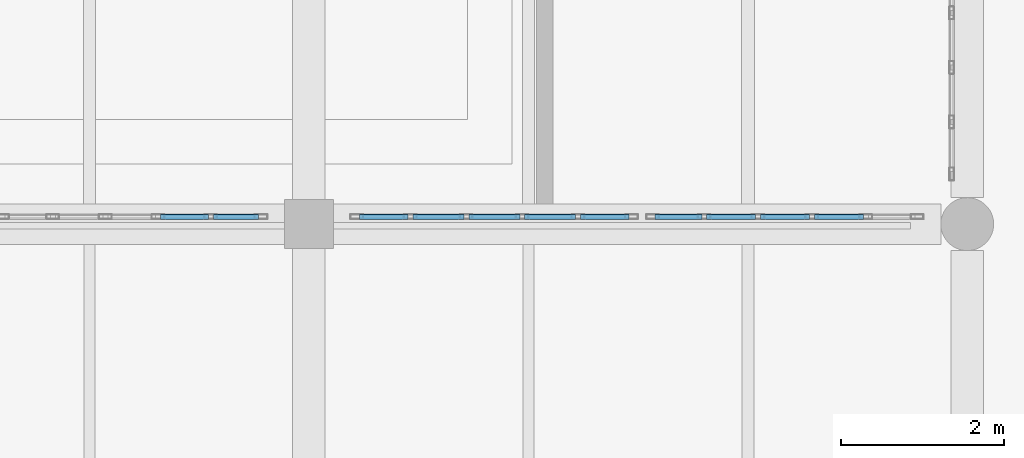
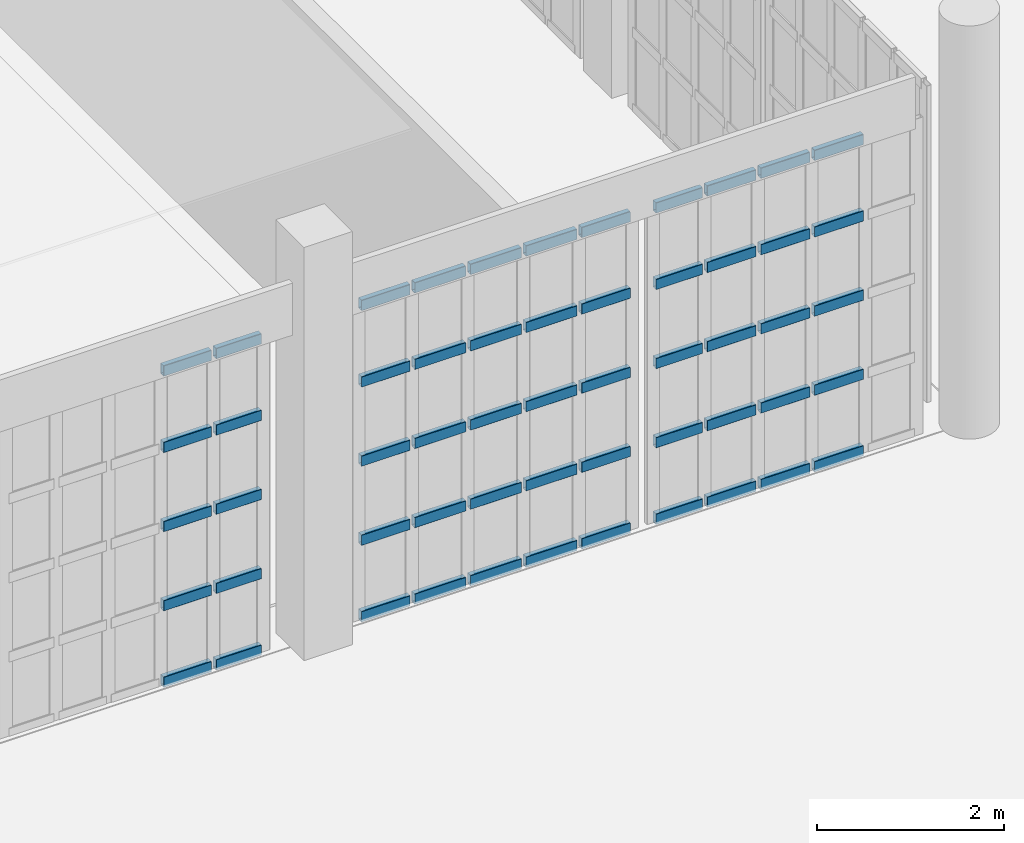
# One storey, part 293 of 372: 55 members, 3 elements without a shape of their own.
"""IFC4 building model written with IfcOpenShell, lengths in metres."""

from ifc_helpers import new_model, si_unit, direction, frame, origin, origin_2d, place, context, subcontext, project, spatial, hollow_rectangle, extrude, material, material_profile, profile_set, type_object, element, aggregate, save


model = new_model("IFC4")

# Units and contexts
model_context = context("Model", 3, precision=1e-05, world=origin(), true_north=direction((0.0, 1.0)))
body_context = subcontext(model_context, "Body", "Model", "MODEL_VIEW")
ifc_project = project(units=[si_unit("LENGTHUNIT", "METRE"), si_unit("AREAUNIT", "SQUARE_METRE"), si_unit("VOLUMEUNIT", "CUBIC_METRE"), si_unit("PLANEANGLEUNIT", "RADIAN"), si_unit("MASSUNIT", "GRAM", prefix="KILO")], contexts=[model_context])

# Site, building, storey
site_placement = place(None, origin())
site = spatial("IfcSite", under=ifc_project, at=site_placement, CompositionType="ELEMENT")
building_placement = place(site_placement, origin())
building = spatial("IfcBuilding", under=site, at=building_placement, Name="Kaelora Sail Theatre", CompositionType="ELEMENT")
storey_placement = place(building_placement, origin())
storey = spatial("IfcBuildingStorey", under=building, at=storey_placement, Name="L00", CompositionType="ELEMENT", Elevation=0.0)

# Curtain wall, members
ifc_material_1 = material(Name="Anodised aluminium and solar-control low-E IGU", Category="aluminium")
curtain_wall_type = type_object("IfcCurtainWallType", Name="ARC-CW-CW-NWG", PredefinedType="NOTDEFINED", material=ifc_material_1)
curtain_wall_1_placement = place(storey_placement, origin())
curtain_wall_1 = element("IfcCurtainWall", 1, at=curtain_wall_1_placement, inside=storey, type_object=curtain_wall_type, Name="Glazed Foyer/Conservatory Curtain Wall COLW-S-L00-02", PredefinedType="NOTDEFINED")
ifc_material_2 = material(Name="Anodised aluminium 6063-T6", Category="aluminium")
ifc_material_profile = material_profile(ifc_material_2, hollow_rectangle(XDim=0.070068359375, YDim=0.139892578125, WallThickness=0.00390625, InnerFilletRadius=0.00390625, OuterFilletRadius=0.008056640625, at=origin_2d()), Name="ALU-TRAN 70x140x4")
ifc_profile_set = profile_set([ifc_material_profile], Name="Anodised aluminium 6063-T6")
member_type = type_object("IfcMemberType", Name="ARC-MEM-TR-140", PredefinedType="USERDEFINED", material=ifc_profile_set)
member_1_placement = place(storey_placement, frame((7.77392578125, 31.35009765625, 0.034912109375), z_axis=(1.0, 0.0, 0.0), x_axis=(0.0, 1.0, 0.0)))
member_1 = element("IfcMember", 2, at=member_1_placement, type_object=member_type, Name="CW-NWG transom 4.1", ObjectType="TRANSOM", PredefinedType="USERDEFINED", context=body_context, shape_type="SweptSolid", body=[
    extrude(hollow_rectangle(XDim=0.070068359375, YDim=0.139892578125, WallThickness=0.00390625, InnerFilletRadius=0.00390625, OuterFilletRadius=0.008056640625, at=origin_2d()), origin(), (0.0, 0.0, 1.0), 0.588134765625),
])
member_2_placement = place(storey_placement, frame((7.77392578125, 31.35009765625, 1.0341796875), z_axis=(1.0, 0.0, 0.0), x_axis=(0.0, 1.0, 0.0)))
member_2 = element("IfcMember", 3, at=member_2_placement, type_object=member_type, Name="CW-NWG transom 4.2", ObjectType="TRANSOM", PredefinedType="USERDEFINED", context=body_context, shape_type="SweptSolid", body=[
    extrude(hollow_rectangle(XDim=0.070068359375, YDim=0.139892578125, WallThickness=0.00390625, InnerFilletRadius=0.00390625, OuterFilletRadius=0.008056640625, at=origin_2d()), origin(), (0.0, 0.0, 1.0), 0.588134765625),
])
member_3_placement = place(storey_placement, frame((7.77392578125, 31.35009765625, 2.068603515625), z_axis=(1.0, 0.0, 0.0), x_axis=(0.0, 1.0, 0.0)))
member_3 = element("IfcMember", 4, at=member_3_placement, type_object=member_type, Name="CW-NWG transom 4.3", ObjectType="TRANSOM", PredefinedType="USERDEFINED", context=body_context, shape_type="SweptSolid", body=[
    extrude(hollow_rectangle(XDim=0.070068359375, YDim=0.139892578125, WallThickness=0.00390625, InnerFilletRadius=0.00390625, OuterFilletRadius=0.008056640625, at=origin_2d()), origin(), (0.0, 0.0, 1.0), 0.588134765625),
])
member_4_placement = place(storey_placement, frame((7.77392578125, 31.35009765625, 3.102783203125), z_axis=(1.0, 0.0, 0.0), x_axis=(0.0, 1.0, 0.0)))
member_4 = element("IfcMember", 5, at=member_4_placement, type_object=member_type, Name="CW-NWG transom 4.4", ObjectType="TRANSOM", PredefinedType="USERDEFINED", context=body_context, shape_type="SweptSolid", body=[
    extrude(hollow_rectangle(XDim=0.070068359375, YDim=0.139892578125, WallThickness=0.00390625, InnerFilletRadius=0.00390625, OuterFilletRadius=0.008056640625, at=origin_2d()), origin(), (0.0, 0.0, 1.0), 0.588134765625),
])
member_5_placement = place(storey_placement, frame((7.77392578125, 31.35009765625, 4.10205078125), z_axis=(1.0, 0.0, 0.0), x_axis=(0.0, 1.0, 0.0)))
member_5 = element("IfcMember", 6, at=member_5_placement, type_object=member_type, Name="CW-NWG transom 4.5", ObjectType="TRANSOM", PredefinedType="USERDEFINED", context=body_context, shape_type="SweptSolid", body=[
    extrude(hollow_rectangle(XDim=0.070068359375, YDim=0.139892578125, WallThickness=0.00390625, InnerFilletRadius=0.00390625, OuterFilletRadius=0.008056640625, at=origin_2d()), origin(), (0.0, 0.0, 1.0), 0.588134765625),
])
member_6_placement = place(storey_placement, frame((8.422119140625, 31.35009765625, 0.034912109375), z_axis=(1.0, 0.0, 0.0), x_axis=(0.0, 1.0, 0.0)))
member_6 = element("IfcMember", 7, at=member_6_placement, type_object=member_type, Name="CW-NWG transom 5.1", ObjectType="TRANSOM", PredefinedType="USERDEFINED", context=body_context, shape_type="SweptSolid", body=[
    extrude(hollow_rectangle(XDim=0.070068359375, YDim=0.139892578125, WallThickness=0.00390625, InnerFilletRadius=0.00390625, OuterFilletRadius=0.008056640625, at=origin_2d()), origin(), (0.0, 0.0, 1.0), 0.557861328125),
])
member_7_placement = place(storey_placement, frame((8.422119140625, 31.35009765625, 1.0341796875), z_axis=(1.0, 0.0, 0.0), x_axis=(0.0, 1.0, 0.0)))
member_7 = element("IfcMember", 8, at=member_7_placement, type_object=member_type, Name="CW-NWG transom 5.2", ObjectType="TRANSOM", PredefinedType="USERDEFINED", context=body_context, shape_type="SweptSolid", body=[
    extrude(hollow_rectangle(XDim=0.070068359375, YDim=0.139892578125, WallThickness=0.00390625, InnerFilletRadius=0.00390625, OuterFilletRadius=0.008056640625, at=origin_2d()), origin(), (0.0, 0.0, 1.0), 0.557861328125),
])
member_8_placement = place(storey_placement, frame((8.422119140625, 31.35009765625, 2.068603515625), z_axis=(1.0, 0.0, 0.0), x_axis=(0.0, 1.0, 0.0)))
member_8 = element("IfcMember", 9, at=member_8_placement, type_object=member_type, Name="CW-NWG transom 5.3", ObjectType="TRANSOM", PredefinedType="USERDEFINED", context=body_context, shape_type="SweptSolid", body=[
    extrude(hollow_rectangle(XDim=0.070068359375, YDim=0.139892578125, WallThickness=0.00390625, InnerFilletRadius=0.00390625, OuterFilletRadius=0.008056640625, at=origin_2d()), origin(), (0.0, 0.0, 1.0), 0.557861328125),
])
member_9_placement = place(storey_placement, frame((8.422119140625, 31.35009765625, 3.102783203125), z_axis=(1.0, 0.0, 0.0), x_axis=(0.0, 1.0, 0.0)))
member_9 = element("IfcMember", 10, at=member_9_placement, type_object=member_type, Name="CW-NWG transom 5.4", ObjectType="TRANSOM", PredefinedType="USERDEFINED", context=body_context, shape_type="SweptSolid", body=[
    extrude(hollow_rectangle(XDim=0.070068359375, YDim=0.139892578125, WallThickness=0.00390625, InnerFilletRadius=0.00390625, OuterFilletRadius=0.008056640625, at=origin_2d()), origin(), (0.0, 0.0, 1.0), 0.557861328125),
])
member_10_placement = place(storey_placement, frame((8.422119140625, 31.35009765625, 4.10205078125), z_axis=(1.0, 0.0, 0.0), x_axis=(0.0, 1.0, 0.0)))
member_10 = element("IfcMember", 11, at=member_10_placement, type_object=member_type, Name="CW-NWG transom 5.5", ObjectType="TRANSOM", PredefinedType="USERDEFINED", context=body_context, shape_type="SweptSolid", body=[
    extrude(hollow_rectangle(XDim=0.070068359375, YDim=0.139892578125, WallThickness=0.00390625, InnerFilletRadius=0.00390625, OuterFilletRadius=0.008056640625, at=origin_2d()), origin(), (0.0, 0.0, 1.0), 0.557861328125),
])
aggregate(curtain_wall_1, [member_1, member_2, member_3, member_4, member_5, member_6, member_7, member_8, member_9, member_10])

curtain_wall_2_placement = place(storey_placement, origin())
curtain_wall_2 = element("IfcCurtainWall", 12, at=curtain_wall_2_placement, inside=storey, type_object=curtain_wall_type, Name="Glazed Foyer/Conservatory Curtain Wall COLW-S-L00-03", PredefinedType="NOTDEFINED")
member_11_placement = place(storey_placement, frame((10.219970703125, 31.35009765625, 0.034912109375), z_axis=(1.0, 0.0, 0.0), x_axis=(0.0, 1.0, 0.0)))
member_11 = element("IfcMember", 13, at=member_11_placement, type_object=member_type, Name="CW-NWG transom 1.1", ObjectType="TRANSOM", PredefinedType="USERDEFINED", context=body_context, shape_type="SweptSolid", body=[
    extrude(hollow_rectangle(XDim=0.070068359375, YDim=0.139892578125, WallThickness=0.00390625, InnerFilletRadius=0.00390625, OuterFilletRadius=0.008056640625, at=origin_2d()), origin(), (0.0, 0.0, 1.0), 0.59814453125),
])
member_12_placement = place(storey_placement, frame((10.219970703125, 31.35009765625, 1.0341796875), z_axis=(1.0, 0.0, 0.0), x_axis=(0.0, 1.0, 0.0)))
member_12 = element("IfcMember", 14, at=member_12_placement, type_object=member_type, Name="CW-NWG transom 1.2", ObjectType="TRANSOM", PredefinedType="USERDEFINED", context=body_context, shape_type="SweptSolid", body=[
    extrude(hollow_rectangle(XDim=0.070068359375, YDim=0.139892578125, WallThickness=0.00390625, InnerFilletRadius=0.00390625, OuterFilletRadius=0.008056640625, at=origin_2d()), origin(), (0.0, 0.0, 1.0), 0.59814453125),
])
member_13_placement = place(storey_placement, frame((10.219970703125, 31.35009765625, 2.068603515625), z_axis=(1.0, 0.0, 0.0), x_axis=(0.0, 1.0, 0.0)))
member_13 = element("IfcMember", 15, at=member_13_placement, type_object=member_type, Name="CW-NWG transom 1.3", ObjectType="TRANSOM", PredefinedType="USERDEFINED", context=body_context, shape_type="SweptSolid", body=[
    extrude(hollow_rectangle(XDim=0.070068359375, YDim=0.139892578125, WallThickness=0.00390625, InnerFilletRadius=0.00390625, OuterFilletRadius=0.008056640625, at=origin_2d()), origin(), (0.0, 0.0, 1.0), 0.59814453125),
])
member_14_placement = place(storey_placement, frame((10.219970703125, 31.35009765625, 3.102783203125), z_axis=(1.0, 0.0, 0.0), x_axis=(0.0, 1.0, 0.0)))
member_14 = element("IfcMember", 16, at=member_14_placement, type_object=member_type, Name="CW-NWG transom 1.4", ObjectType="TRANSOM", PredefinedType="USERDEFINED", context=body_context, shape_type="SweptSolid", body=[
    extrude(hollow_rectangle(XDim=0.070068359375, YDim=0.139892578125, WallThickness=0.00390625, InnerFilletRadius=0.00390625, OuterFilletRadius=0.008056640625, at=origin_2d()), origin(), (0.0, 0.0, 1.0), 0.59814453125),
])
member_15_placement = place(storey_placement, frame((10.219970703125, 31.35009765625, 4.10205078125), z_axis=(1.0, 0.0, 0.0), x_axis=(0.0, 1.0, 0.0)))
member_15 = element("IfcMember", 17, at=member_15_placement, type_object=member_type, Name="CW-NWG transom 1.5", ObjectType="TRANSOM", PredefinedType="USERDEFINED", context=body_context, shape_type="SweptSolid", body=[
    extrude(hollow_rectangle(XDim=0.070068359375, YDim=0.139892578125, WallThickness=0.00390625, InnerFilletRadius=0.00390625, OuterFilletRadius=0.008056640625, at=origin_2d()), origin(), (0.0, 0.0, 1.0), 0.59814453125),
])
member_16_placement = place(storey_placement, frame((10.8779296875, 31.35009765625, 0.034912109375), z_axis=(1.0, 0.0, 0.0), x_axis=(0.0, 1.0, 0.0)))
member_16 = element("IfcMember", 18, at=member_16_placement, type_object=member_type, Name="CW-NWG transom 2.1", ObjectType="TRANSOM", PredefinedType="USERDEFINED", context=body_context, shape_type="SweptSolid", body=[
    extrude(hollow_rectangle(XDim=0.070068359375, YDim=0.139892578125, WallThickness=0.00390625, InnerFilletRadius=0.00390625, OuterFilletRadius=0.008056640625, at=origin_2d()), origin(), (0.0, 0.0, 1.0), 0.628173828125),
])
member_17_placement = place(storey_placement, frame((10.8779296875, 31.35009765625, 1.0341796875), z_axis=(1.0, 0.0, 0.0), x_axis=(0.0, 1.0, 0.0)))
member_17 = element("IfcMember", 19, at=member_17_placement, type_object=member_type, Name="CW-NWG transom 2.2", ObjectType="TRANSOM", PredefinedType="USERDEFINED", context=body_context, shape_type="SweptSolid", body=[
    extrude(hollow_rectangle(XDim=0.070068359375, YDim=0.139892578125, WallThickness=0.00390625, InnerFilletRadius=0.00390625, OuterFilletRadius=0.008056640625, at=origin_2d()), origin(), (0.0, 0.0, 1.0), 0.628173828125),
])
member_18_placement = place(storey_placement, frame((10.8779296875, 31.35009765625, 2.068603515625), z_axis=(1.0, 0.0, 0.0), x_axis=(0.0, 1.0, 0.0)))
member_18 = element("IfcMember", 20, at=member_18_placement, type_object=member_type, Name="CW-NWG transom 2.3", ObjectType="TRANSOM", PredefinedType="USERDEFINED", context=body_context, shape_type="SweptSolid", body=[
    extrude(hollow_rectangle(XDim=0.070068359375, YDim=0.139892578125, WallThickness=0.00390625, InnerFilletRadius=0.00390625, OuterFilletRadius=0.008056640625, at=origin_2d()), origin(), (0.0, 0.0, 1.0), 0.628173828125),
])
member_19_placement = place(storey_placement, frame((10.8779296875, 31.35009765625, 3.102783203125), z_axis=(1.0, 0.0, 0.0), x_axis=(0.0, 1.0, 0.0)))
member_19 = element("IfcMember", 21, at=member_19_placement, type_object=member_type, Name="CW-NWG transom 2.4", ObjectType="TRANSOM", PredefinedType="USERDEFINED", context=body_context, shape_type="SweptSolid", body=[
    extrude(hollow_rectangle(XDim=0.070068359375, YDim=0.139892578125, WallThickness=0.00390625, InnerFilletRadius=0.00390625, OuterFilletRadius=0.008056640625, at=origin_2d()), origin(), (0.0, 0.0, 1.0), 0.628173828125),
])
member_20_placement = place(storey_placement, frame((10.8779296875, 31.35009765625, 4.10205078125), z_axis=(1.0, 0.0, 0.0), x_axis=(0.0, 1.0, 0.0)))
member_20 = element("IfcMember", 22, at=member_20_placement, type_object=member_type, Name="CW-NWG transom 2.5", ObjectType="TRANSOM", PredefinedType="USERDEFINED", context=body_context, shape_type="SweptSolid", body=[
    extrude(hollow_rectangle(XDim=0.070068359375, YDim=0.139892578125, WallThickness=0.00390625, InnerFilletRadius=0.00390625, OuterFilletRadius=0.008056640625, at=origin_2d()), origin(), (0.0, 0.0, 1.0), 0.628173828125),
])
member_21_placement = place(storey_placement, frame((11.56591796875, 31.35009765625, 0.034912109375), z_axis=(1.0, 0.0, 0.0), x_axis=(0.0, 1.0, 0.0)))
member_21 = element("IfcMember", 23, at=member_21_placement, type_object=member_type, Name="CW-NWG transom 3.1", ObjectType="TRANSOM", PredefinedType="USERDEFINED", context=body_context, shape_type="SweptSolid", body=[
    extrude(hollow_rectangle(XDim=0.070068359375, YDim=0.139892578125, WallThickness=0.00390625, InnerFilletRadius=0.00390625, OuterFilletRadius=0.008056640625, at=origin_2d()), origin(), (0.0, 0.0, 1.0), 0.628173828125),
])
member_22_placement = place(storey_placement, frame((11.56591796875, 31.35009765625, 1.0341796875), z_axis=(1.0, 0.0, 0.0), x_axis=(0.0, 1.0, 0.0)))
member_22 = element("IfcMember", 24, at=member_22_placement, type_object=member_type, Name="CW-NWG transom 3.2", ObjectType="TRANSOM", PredefinedType="USERDEFINED", context=body_context, shape_type="SweptSolid", body=[
    extrude(hollow_rectangle(XDim=0.070068359375, YDim=0.139892578125, WallThickness=0.00390625, InnerFilletRadius=0.00390625, OuterFilletRadius=0.008056640625, at=origin_2d()), origin(), (0.0, 0.0, 1.0), 0.628173828125),
])
member_23_placement = place(storey_placement, frame((11.56591796875, 31.35009765625, 2.068603515625), z_axis=(1.0, 0.0, 0.0), x_axis=(0.0, 1.0, 0.0)))
member_23 = element("IfcMember", 25, at=member_23_placement, type_object=member_type, Name="CW-NWG transom 3.3", ObjectType="TRANSOM", PredefinedType="USERDEFINED", context=body_context, shape_type="SweptSolid", body=[
    extrude(hollow_rectangle(XDim=0.070068359375, YDim=0.139892578125, WallThickness=0.00390625, InnerFilletRadius=0.00390625, OuterFilletRadius=0.008056640625, at=origin_2d()), origin(), (0.0, 0.0, 1.0), 0.628173828125),
])
member_24_placement = place(storey_placement, frame((11.56591796875, 31.35009765625, 3.102783203125), z_axis=(1.0, 0.0, 0.0), x_axis=(0.0, 1.0, 0.0)))
member_24 = element("IfcMember", 26, at=member_24_placement, type_object=member_type, Name="CW-NWG transom 3.4", ObjectType="TRANSOM", PredefinedType="USERDEFINED", context=body_context, shape_type="SweptSolid", body=[
    extrude(hollow_rectangle(XDim=0.070068359375, YDim=0.139892578125, WallThickness=0.00390625, InnerFilletRadius=0.00390625, OuterFilletRadius=0.008056640625, at=origin_2d()), origin(), (0.0, 0.0, 1.0), 0.628173828125),
])
member_25_placement = place(storey_placement, frame((11.56591796875, 31.35009765625, 4.10205078125), z_axis=(1.0, 0.0, 0.0), x_axis=(0.0, 1.0, 0.0)))
member_25 = element("IfcMember", 27, at=member_25_placement, type_object=member_type, Name="CW-NWG transom 3.5", ObjectType="TRANSOM", PredefinedType="USERDEFINED", context=body_context, shape_type="SweptSolid", body=[
    extrude(hollow_rectangle(XDim=0.070068359375, YDim=0.139892578125, WallThickness=0.00390625, InnerFilletRadius=0.00390625, OuterFilletRadius=0.008056640625, at=origin_2d()), origin(), (0.0, 0.0, 1.0), 0.628173828125),
])
member_26_placement = place(storey_placement, frame((12.25390625, 31.35009765625, 0.034912109375), z_axis=(1.0, 0.0, 0.0), x_axis=(0.0, 1.0, 0.0)))
member_26 = element("IfcMember", 28, at=member_26_placement, type_object=member_type, Name="CW-NWG transom 4.1", ObjectType="TRANSOM", PredefinedType="USERDEFINED", context=body_context, shape_type="SweptSolid", body=[
    extrude(hollow_rectangle(XDim=0.070068359375, YDim=0.139892578125, WallThickness=0.00390625, InnerFilletRadius=0.00390625, OuterFilletRadius=0.008056640625, at=origin_2d()), origin(), (0.0, 0.0, 1.0), 0.628173828125),
])
member_27_placement = place(storey_placement, frame((12.25390625, 31.35009765625, 1.0341796875), z_axis=(1.0, 0.0, 0.0), x_axis=(0.0, 1.0, 0.0)))
member_27 = element("IfcMember", 29, at=member_27_placement, type_object=member_type, Name="CW-NWG transom 4.2", ObjectType="TRANSOM", PredefinedType="USERDEFINED", context=body_context, shape_type="SweptSolid", body=[
    extrude(hollow_rectangle(XDim=0.070068359375, YDim=0.139892578125, WallThickness=0.00390625, InnerFilletRadius=0.00390625, OuterFilletRadius=0.008056640625, at=origin_2d()), origin(), (0.0, 0.0, 1.0), 0.628173828125),
])
member_28_placement = place(storey_placement, frame((12.25390625, 31.35009765625, 2.068603515625), z_axis=(1.0, 0.0, 0.0), x_axis=(0.0, 1.0, 0.0)))
member_28 = element("IfcMember", 30, at=member_28_placement, type_object=member_type, Name="CW-NWG transom 4.3", ObjectType="TRANSOM", PredefinedType="USERDEFINED", context=body_context, shape_type="SweptSolid", body=[
    extrude(hollow_rectangle(XDim=0.070068359375, YDim=0.139892578125, WallThickness=0.00390625, InnerFilletRadius=0.00390625, OuterFilletRadius=0.008056640625, at=origin_2d()), origin(), (0.0, 0.0, 1.0), 0.628173828125),
])
member_29_placement = place(storey_placement, frame((12.25390625, 31.35009765625, 3.102783203125), z_axis=(1.0, 0.0, 0.0), x_axis=(0.0, 1.0, 0.0)))
member_29 = element("IfcMember", 31, at=member_29_placement, type_object=member_type, Name="CW-NWG transom 4.4", ObjectType="TRANSOM", PredefinedType="USERDEFINED", context=body_context, shape_type="SweptSolid", body=[
    extrude(hollow_rectangle(XDim=0.070068359375, YDim=0.139892578125, WallThickness=0.00390625, InnerFilletRadius=0.00390625, OuterFilletRadius=0.008056640625, at=origin_2d()), origin(), (0.0, 0.0, 1.0), 0.628173828125),
])
member_30_placement = place(storey_placement, frame((12.25390625, 31.35009765625, 4.10205078125), z_axis=(1.0, 0.0, 0.0), x_axis=(0.0, 1.0, 0.0)))
member_30 = element("IfcMember", 32, at=member_30_placement, type_object=member_type, Name="CW-NWG transom 4.5", ObjectType="TRANSOM", PredefinedType="USERDEFINED", context=body_context, shape_type="SweptSolid", body=[
    extrude(hollow_rectangle(XDim=0.070068359375, YDim=0.139892578125, WallThickness=0.00390625, InnerFilletRadius=0.00390625, OuterFilletRadius=0.008056640625, at=origin_2d()), origin(), (0.0, 0.0, 1.0), 0.628173828125),
])
member_31_placement = place(storey_placement, frame((12.94189453125, 31.35009765625, 0.034912109375), z_axis=(1.0, 0.0, 0.0), x_axis=(0.0, 1.0, 0.0)))
member_31 = element("IfcMember", 33, at=member_31_placement, type_object=member_type, Name="CW-NWG transom 5.1", ObjectType="TRANSOM", PredefinedType="USERDEFINED", context=body_context, shape_type="SweptSolid", body=[
    extrude(hollow_rectangle(XDim=0.070068359375, YDim=0.139892578125, WallThickness=0.00390625, InnerFilletRadius=0.00390625, OuterFilletRadius=0.008056640625, at=origin_2d()), origin(), (0.0, 0.0, 1.0), 0.59814453125),
])
member_32_placement = place(storey_placement, frame((12.94189453125, 31.35009765625, 1.0341796875), z_axis=(1.0, 0.0, 0.0), x_axis=(0.0, 1.0, 0.0)))
member_32 = element("IfcMember", 34, at=member_32_placement, type_object=member_type, Name="CW-NWG transom 5.2", ObjectType="TRANSOM", PredefinedType="USERDEFINED", context=body_context, shape_type="SweptSolid", body=[
    extrude(hollow_rectangle(XDim=0.070068359375, YDim=0.139892578125, WallThickness=0.00390625, InnerFilletRadius=0.00390625, OuterFilletRadius=0.008056640625, at=origin_2d()), origin(), (0.0, 0.0, 1.0), 0.59814453125),
])
member_33_placement = place(storey_placement, frame((12.94189453125, 31.35009765625, 2.068603515625), z_axis=(1.0, 0.0, 0.0), x_axis=(0.0, 1.0, 0.0)))
member_33 = element("IfcMember", 35, at=member_33_placement, type_object=member_type, Name="CW-NWG transom 5.3", ObjectType="TRANSOM", PredefinedType="USERDEFINED", context=body_context, shape_type="SweptSolid", body=[
    extrude(hollow_rectangle(XDim=0.070068359375, YDim=0.139892578125, WallThickness=0.00390625, InnerFilletRadius=0.00390625, OuterFilletRadius=0.008056640625, at=origin_2d()), origin(), (0.0, 0.0, 1.0), 0.59814453125),
])
member_34_placement = place(storey_placement, frame((12.94189453125, 31.35009765625, 3.102783203125), z_axis=(1.0, 0.0, 0.0), x_axis=(0.0, 1.0, 0.0)))
member_34 = element("IfcMember", 36, at=member_34_placement, type_object=member_type, Name="CW-NWG transom 5.4", ObjectType="TRANSOM", PredefinedType="USERDEFINED", context=body_context, shape_type="SweptSolid", body=[
    extrude(hollow_rectangle(XDim=0.070068359375, YDim=0.139892578125, WallThickness=0.00390625, InnerFilletRadius=0.00390625, OuterFilletRadius=0.008056640625, at=origin_2d()), origin(), (0.0, 0.0, 1.0), 0.59814453125),
])
member_35_placement = place(storey_placement, frame((12.94189453125, 31.35009765625, 4.10205078125), z_axis=(1.0, 0.0, 0.0), x_axis=(0.0, 1.0, 0.0)))
member_35 = element("IfcMember", 37, at=member_35_placement, type_object=member_type, Name="CW-NWG transom 5.5", ObjectType="TRANSOM", PredefinedType="USERDEFINED", context=body_context, shape_type="SweptSolid", body=[
    extrude(hollow_rectangle(XDim=0.070068359375, YDim=0.139892578125, WallThickness=0.00390625, InnerFilletRadius=0.00390625, OuterFilletRadius=0.008056640625, at=origin_2d()), origin(), (0.0, 0.0, 1.0), 0.59814453125),
])
aggregate(curtain_wall_2, [member_11, member_12, member_13, member_14, member_15, member_16, member_17, member_18, member_19, member_20, member_21, member_22, member_23, member_24, member_25, member_26, member_27, member_28, member_29, member_30, member_31, member_32, member_33, member_34, member_35])

curtain_wall_3_placement = place(storey_placement, origin())
curtain_wall_3 = element("IfcCurtainWall", 38, at=curtain_wall_3_placement, inside=storey, type_object=curtain_wall_type, Name="Glazed Foyer/Conservatory Curtain Wall COLW-S-L00-04", PredefinedType="NOTDEFINED")
member_36_placement = place(storey_placement, frame((13.860107421875, 31.35009765625, 0.034912109375), z_axis=(1.0, 0.0, 0.0), x_axis=(0.0, 1.0, 0.0)))
member_36 = element("IfcMember", 39, at=member_36_placement, type_object=member_type, Name="CW-NWG transom 1.1", ObjectType="TRANSOM", PredefinedType="USERDEFINED", context=body_context, shape_type="SweptSolid", body=[
    extrude(hollow_rectangle(XDim=0.070068359375, YDim=0.139892578125, WallThickness=0.00390625, InnerFilletRadius=0.00390625, OuterFilletRadius=0.008056640625, at=origin_2d()), origin(), (0.0, 0.0, 1.0), 0.572998046875),
])
member_37_placement = place(storey_placement, frame((13.860107421875, 31.35009765625, 1.0341796875), z_axis=(1.0, 0.0, 0.0), x_axis=(0.0, 1.0, 0.0)))
member_37 = element("IfcMember", 40, at=member_37_placement, type_object=member_type, Name="CW-NWG transom 1.2", ObjectType="TRANSOM", PredefinedType="USERDEFINED", context=body_context, shape_type="SweptSolid", body=[
    extrude(hollow_rectangle(XDim=0.070068359375, YDim=0.139892578125, WallThickness=0.00390625, InnerFilletRadius=0.00390625, OuterFilletRadius=0.008056640625, at=origin_2d()), origin(), (0.0, 0.0, 1.0), 0.572998046875),
])
member_38_placement = place(storey_placement, frame((13.860107421875, 31.35009765625, 2.068603515625), z_axis=(1.0, 0.0, 0.0), x_axis=(0.0, 1.0, 0.0)))
member_38 = element("IfcMember", 41, at=member_38_placement, type_object=member_type, Name="CW-NWG transom 1.3", ObjectType="TRANSOM", PredefinedType="USERDEFINED", context=body_context, shape_type="SweptSolid", body=[
    extrude(hollow_rectangle(XDim=0.070068359375, YDim=0.139892578125, WallThickness=0.00390625, InnerFilletRadius=0.00390625, OuterFilletRadius=0.008056640625, at=origin_2d()), origin(), (0.0, 0.0, 1.0), 0.572998046875),
])
member_39_placement = place(storey_placement, frame((13.860107421875, 31.35009765625, 3.102783203125), z_axis=(1.0, 0.0, 0.0), x_axis=(0.0, 1.0, 0.0)))
member_39 = element("IfcMember", 42, at=member_39_placement, type_object=member_type, Name="CW-NWG transom 1.4", ObjectType="TRANSOM", PredefinedType="USERDEFINED", context=body_context, shape_type="SweptSolid", body=[
    extrude(hollow_rectangle(XDim=0.070068359375, YDim=0.139892578125, WallThickness=0.00390625, InnerFilletRadius=0.00390625, OuterFilletRadius=0.008056640625, at=origin_2d()), origin(), (0.0, 0.0, 1.0), 0.572998046875),
])
member_40_placement = place(storey_placement, frame((13.860107421875, 31.35009765625, 4.10205078125), z_axis=(1.0, 0.0, 0.0), x_axis=(0.0, 1.0, 0.0)))
member_40 = element("IfcMember", 43, at=member_40_placement, type_object=member_type, Name="CW-NWG transom 1.5", ObjectType="TRANSOM", PredefinedType="USERDEFINED", context=body_context, shape_type="SweptSolid", body=[
    extrude(hollow_rectangle(XDim=0.070068359375, YDim=0.139892578125, WallThickness=0.00390625, InnerFilletRadius=0.00390625, OuterFilletRadius=0.008056640625, at=origin_2d()), origin(), (0.0, 0.0, 1.0), 0.572998046875),
])
member_41_placement = place(storey_placement, frame((14.492919921875, 31.35009765625, 0.034912109375), z_axis=(1.0, 0.0, 0.0), x_axis=(0.0, 1.0, 0.0)))
member_41 = element("IfcMember", 44, at=member_41_placement, type_object=member_type, Name="CW-NWG transom 2.1", ObjectType="TRANSOM", PredefinedType="USERDEFINED", context=body_context, shape_type="SweptSolid", body=[
    extrude(hollow_rectangle(XDim=0.070068359375, YDim=0.139892578125, WallThickness=0.00390625, InnerFilletRadius=0.00390625, OuterFilletRadius=0.008056640625, at=origin_2d()), origin(), (0.0, 0.0, 1.0), 0.60302734375),
])
member_42_placement = place(storey_placement, frame((14.492919921875, 31.35009765625, 1.0341796875), z_axis=(1.0, 0.0, 0.0), x_axis=(0.0, 1.0, 0.0)))
member_42 = element("IfcMember", 45, at=member_42_placement, type_object=member_type, Name="CW-NWG transom 2.2", ObjectType="TRANSOM", PredefinedType="USERDEFINED", context=body_context, shape_type="SweptSolid", body=[
    extrude(hollow_rectangle(XDim=0.070068359375, YDim=0.139892578125, WallThickness=0.00390625, InnerFilletRadius=0.00390625, OuterFilletRadius=0.008056640625, at=origin_2d()), origin(), (0.0, 0.0, 1.0), 0.60302734375),
])
member_43_placement = place(storey_placement, frame((14.492919921875, 31.35009765625, 2.068603515625), z_axis=(1.0, 0.0, 0.0), x_axis=(0.0, 1.0, 0.0)))
member_43 = element("IfcMember", 46, at=member_43_placement, type_object=member_type, Name="CW-NWG transom 2.3", ObjectType="TRANSOM", PredefinedType="USERDEFINED", context=body_context, shape_type="SweptSolid", body=[
    extrude(hollow_rectangle(XDim=0.070068359375, YDim=0.139892578125, WallThickness=0.00390625, InnerFilletRadius=0.00390625, OuterFilletRadius=0.008056640625, at=origin_2d()), origin(), (0.0, 0.0, 1.0), 0.60302734375),
])
member_44_placement = place(storey_placement, frame((14.492919921875, 31.35009765625, 3.102783203125), z_axis=(1.0, 0.0, 0.0), x_axis=(0.0, 1.0, 0.0)))
member_44 = element("IfcMember", 47, at=member_44_placement, type_object=member_type, Name="CW-NWG transom 2.4", ObjectType="TRANSOM", PredefinedType="USERDEFINED", context=body_context, shape_type="SweptSolid", body=[
    extrude(hollow_rectangle(XDim=0.070068359375, YDim=0.139892578125, WallThickness=0.00390625, InnerFilletRadius=0.00390625, OuterFilletRadius=0.008056640625, at=origin_2d()), origin(), (0.0, 0.0, 1.0), 0.60302734375),
])
member_45_placement = place(storey_placement, frame((14.492919921875, 31.35009765625, 4.10205078125), z_axis=(1.0, 0.0, 0.0), x_axis=(0.0, 1.0, 0.0)))
member_45 = element("IfcMember", 48, at=member_45_placement, type_object=member_type, Name="CW-NWG transom 2.5", ObjectType="TRANSOM", PredefinedType="USERDEFINED", context=body_context, shape_type="SweptSolid", body=[
    extrude(hollow_rectangle(XDim=0.070068359375, YDim=0.139892578125, WallThickness=0.00390625, InnerFilletRadius=0.00390625, OuterFilletRadius=0.008056640625, at=origin_2d()), origin(), (0.0, 0.0, 1.0), 0.60302734375),
])
member_46_placement = place(storey_placement, frame((15.156005859375, 31.35009765625, 0.034912109375), z_axis=(1.0, 0.0, 0.0), x_axis=(0.0, 1.0, 0.0)))
member_46 = element("IfcMember", 49, at=member_46_placement, type_object=member_type, Name="CW-NWG transom 3.1", ObjectType="TRANSOM", PredefinedType="USERDEFINED", context=body_context, shape_type="SweptSolid", body=[
    extrude(hollow_rectangle(XDim=0.070068359375, YDim=0.139892578125, WallThickness=0.00390625, InnerFilletRadius=0.00390625, OuterFilletRadius=0.008056640625, at=origin_2d()), origin(), (0.0, 0.0, 1.0), 0.60302734375),
])
member_47_placement = place(storey_placement, frame((15.156005859375, 31.35009765625, 1.0341796875), z_axis=(1.0, 0.0, 0.0), x_axis=(0.0, 1.0, 0.0)))
member_47 = element("IfcMember", 50, at=member_47_placement, type_object=member_type, Name="CW-NWG transom 3.2", ObjectType="TRANSOM", PredefinedType="USERDEFINED", context=body_context, shape_type="SweptSolid", body=[
    extrude(hollow_rectangle(XDim=0.070068359375, YDim=0.139892578125, WallThickness=0.00390625, InnerFilletRadius=0.00390625, OuterFilletRadius=0.008056640625, at=origin_2d()), origin(), (0.0, 0.0, 1.0), 0.60302734375),
])
member_48_placement = place(storey_placement, frame((15.156005859375, 31.35009765625, 2.068603515625), z_axis=(1.0, 0.0, 0.0), x_axis=(0.0, 1.0, 0.0)))
member_48 = element("IfcMember", 51, at=member_48_placement, type_object=member_type, Name="CW-NWG transom 3.3", ObjectType="TRANSOM", PredefinedType="USERDEFINED", context=body_context, shape_type="SweptSolid", body=[
    extrude(hollow_rectangle(XDim=0.070068359375, YDim=0.139892578125, WallThickness=0.00390625, InnerFilletRadius=0.00390625, OuterFilletRadius=0.008056640625, at=origin_2d()), origin(), (0.0, 0.0, 1.0), 0.60302734375),
])
member_49_placement = place(storey_placement, frame((15.156005859375, 31.35009765625, 3.102783203125), z_axis=(1.0, 0.0, 0.0), x_axis=(0.0, 1.0, 0.0)))
member_49 = element("IfcMember", 52, at=member_49_placement, type_object=member_type, Name="CW-NWG transom 3.4", ObjectType="TRANSOM", PredefinedType="USERDEFINED", context=body_context, shape_type="SweptSolid", body=[
    extrude(hollow_rectangle(XDim=0.070068359375, YDim=0.139892578125, WallThickness=0.00390625, InnerFilletRadius=0.00390625, OuterFilletRadius=0.008056640625, at=origin_2d()), origin(), (0.0, 0.0, 1.0), 0.60302734375),
])
member_50_placement = place(storey_placement, frame((15.156005859375, 31.35009765625, 4.10205078125), z_axis=(1.0, 0.0, 0.0), x_axis=(0.0, 1.0, 0.0)))
member_50 = element("IfcMember", 53, at=member_50_placement, type_object=member_type, Name="CW-NWG transom 3.5", ObjectType="TRANSOM", PredefinedType="USERDEFINED", context=body_context, shape_type="SweptSolid", body=[
    extrude(hollow_rectangle(XDim=0.070068359375, YDim=0.139892578125, WallThickness=0.00390625, InnerFilletRadius=0.00390625, OuterFilletRadius=0.008056640625, at=origin_2d()), origin(), (0.0, 0.0, 1.0), 0.60302734375),
])
member_51_placement = place(storey_placement, frame((15.819091796875, 31.35009765625, 0.034912109375), z_axis=(1.0, 0.0, 0.0), x_axis=(0.0, 1.0, 0.0)))
member_51 = element("IfcMember", 54, at=member_51_placement, type_object=member_type, Name="CW-NWG transom 4.1", ObjectType="TRANSOM", PredefinedType="USERDEFINED", context=body_context, shape_type="SweptSolid", body=[
    extrude(hollow_rectangle(XDim=0.070068359375, YDim=0.139892578125, WallThickness=0.00390625, InnerFilletRadius=0.00390625, OuterFilletRadius=0.008056640625, at=origin_2d()), origin(), (0.0, 0.0, 1.0), 0.60302734375),
])
member_52_placement = place(storey_placement, frame((15.819091796875, 31.35009765625, 1.0341796875), z_axis=(1.0, 0.0, 0.0), x_axis=(0.0, 1.0, 0.0)))
member_52 = element("IfcMember", 55, at=member_52_placement, type_object=member_type, Name="CW-NWG transom 4.2", ObjectType="TRANSOM", PredefinedType="USERDEFINED", context=body_context, shape_type="SweptSolid", body=[
    extrude(hollow_rectangle(XDim=0.070068359375, YDim=0.139892578125, WallThickness=0.00390625, InnerFilletRadius=0.00390625, OuterFilletRadius=0.008056640625, at=origin_2d()), origin(), (0.0, 0.0, 1.0), 0.60302734375),
])
member_53_placement = place(storey_placement, frame((15.819091796875, 31.35009765625, 2.068603515625), z_axis=(1.0, 0.0, 0.0), x_axis=(0.0, 1.0, 0.0)))
member_53 = element("IfcMember", 56, at=member_53_placement, type_object=member_type, Name="CW-NWG transom 4.3", ObjectType="TRANSOM", PredefinedType="USERDEFINED", context=body_context, shape_type="SweptSolid", body=[
    extrude(hollow_rectangle(XDim=0.070068359375, YDim=0.139892578125, WallThickness=0.00390625, InnerFilletRadius=0.00390625, OuterFilletRadius=0.008056640625, at=origin_2d()), origin(), (0.0, 0.0, 1.0), 0.60302734375),
])
member_54_placement = place(storey_placement, frame((15.819091796875, 31.35009765625, 3.102783203125), z_axis=(1.0, 0.0, 0.0), x_axis=(0.0, 1.0, 0.0)))
member_54 = element("IfcMember", 57, at=member_54_placement, type_object=member_type, Name="CW-NWG transom 4.4", ObjectType="TRANSOM", PredefinedType="USERDEFINED", context=body_context, shape_type="SweptSolid", body=[
    extrude(hollow_rectangle(XDim=0.070068359375, YDim=0.139892578125, WallThickness=0.00390625, InnerFilletRadius=0.00390625, OuterFilletRadius=0.008056640625, at=origin_2d()), origin(), (0.0, 0.0, 1.0), 0.60302734375),
])
member_55_placement = place(storey_placement, frame((15.819091796875, 31.35009765625, 4.10205078125), z_axis=(1.0, 0.0, 0.0), x_axis=(0.0, 1.0, 0.0)))
member_55 = element("IfcMember", 58, at=member_55_placement, type_object=member_type, Name="CW-NWG transom 4.5", ObjectType="TRANSOM", PredefinedType="USERDEFINED", context=body_context, shape_type="SweptSolid", body=[
    extrude(hollow_rectangle(XDim=0.070068359375, YDim=0.139892578125, WallThickness=0.00390625, InnerFilletRadius=0.00390625, OuterFilletRadius=0.008056640625, at=origin_2d()), origin(), (0.0, 0.0, 1.0), 0.60302734375),
])
aggregate(curtain_wall_3, [member_36, member_37, member_38, member_39, member_40, member_41, member_42, member_43, member_44, member_45, member_46, member_47, member_48, member_49, member_50, member_51, member_52, member_53, member_54, member_55])

save(model, "model.ifc")
